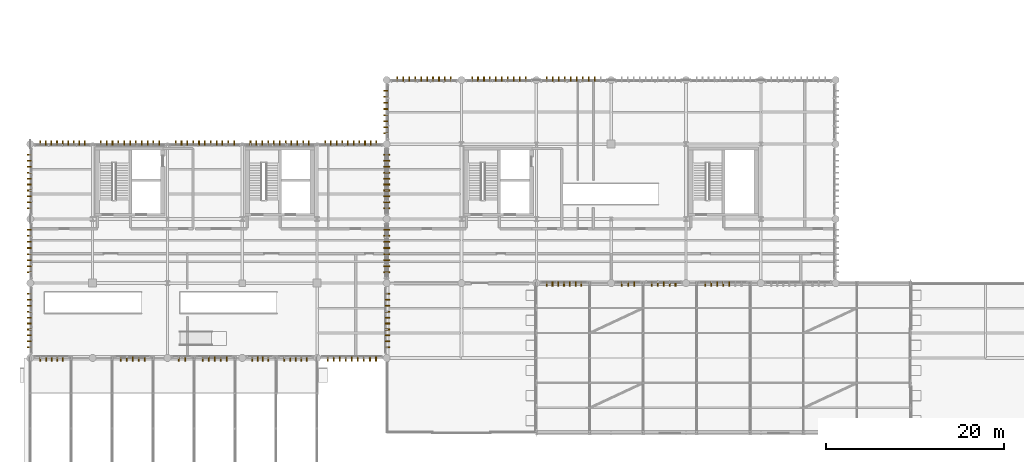
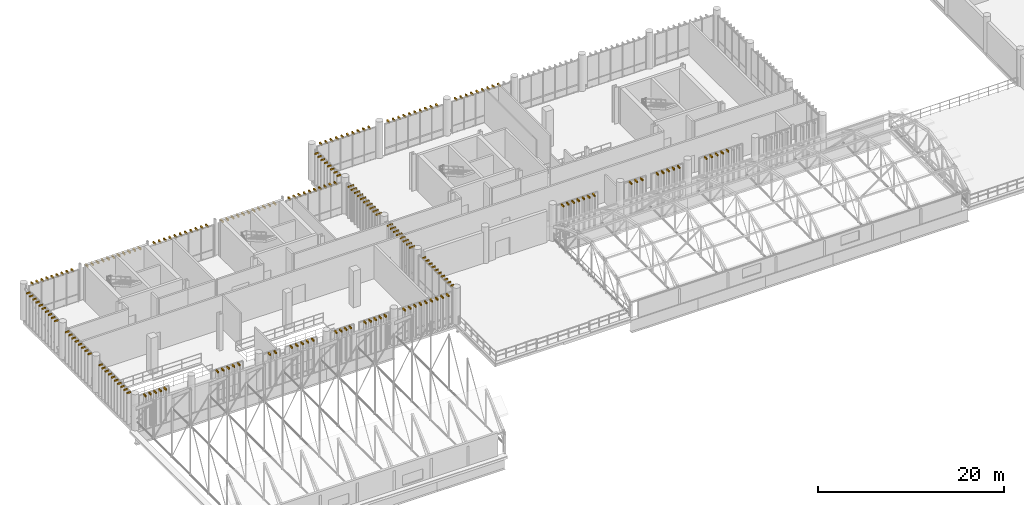
# One storey, part 107 of 109: 218 shading devices.
"""IFC4 building model written with IfcOpenShell, lengths in metres."""

from ifc_helpers import new_model, si_unit, direction, frame, origin_with_axes, origin_2d_with_axis, place, context, subcontext, project, spatial, rectangle, extrude, material, type_object, element, save


model = new_model("IFC4")

# Units and contexts
model_context = context("Model", 3, precision=1e-05, world=origin_with_axes(), true_north=direction((0.0, 1.0)))
body_context = subcontext(model_context, "Body", "Model", "MODEL_VIEW")
ifc_project = project(units=[si_unit("LENGTHUNIT", "METRE"), si_unit("AREAUNIT", "SQUARE_METRE"), si_unit("VOLUMEUNIT", "CUBIC_METRE"), si_unit("PLANEANGLEUNIT", "RADIAN"), si_unit("MASSUNIT", "GRAM", prefix="KILO"), si_unit("THERMODYNAMICTEMPERATUREUNIT", "KELVIN")], contexts=[model_context])

# Site, building, storey
site_placement = place(None, origin_with_axes())
site = spatial("IfcSite", under=ifc_project, at=site_placement, CompositionType="ELEMENT")
building_placement = place(site_placement, origin_with_axes())
building = spatial("IfcBuilding", under=site, at=building_placement, Name="Montbau Bow Law Courts", CompositionType="ELEMENT")
storey_placement = place(building_placement, frame((0.0, 0.0, 10.8), z_axis=(0.0, 0.0, 1.0), x_axis=(1.0, 0.0, 0.0)))
storey = spatial("IfcBuildingStorey", under=building, at=storey_placement, Name="L02", CompositionType="ELEMENT", Elevation=10.8)

# Shading devices
ifc_material_1 = material(Name="Freeze-Thaw Glazed Cream Ceramic Vertical Louvre", Category="masonry")
shading_device_type_1 = type_object("IfcShadingDeviceType", Name="SH-LVR-CRM", PredefinedType="USERDEFINED", material=ifc_material_1)
for number, where, z_axis, x_axis, name in (
    (1, (64.764, 38.89, 14.84), (0.0, 0.0, 1.0), (0.0, -1.0, 0.0), "LVR-L02-1417:shd_1417"),
    (2, (65.412, 38.89, 14.84), (0.0, 0.0, 1.0), (0.0, -1.0, 0.0), "LVR-L02-1418:shd_1418"),
    (3, (66.061, 38.89, 14.84), (0.0, 0.0, 1.0), (0.0, -1.0, 0.0), "LVR-L02-1419:shd_1419"),
    (4, (66.709, 38.89, 14.84), (0.0, 0.0, 1.0), (0.0, -1.0, 0.0), "LVR-L02-1420:shd_1420"),
    (5, (67.358, 38.89, 14.84), (0.0, 0.0, 1.0), (0.0, -1.0, 0.0), "LVR-L02-1421:shd_1421"),
    (6, (68.006, 38.89, 14.84), (0.0, 0.0, 1.0), (0.0, -1.0, 0.0), "LVR-L02-1422:shd_1422"),
    (7, (68.655, 38.89, 14.84), (0.0, 0.0, 1.0), (0.0, -1.0, 0.0), "LVR-L02-1423:shd_1423"),
    (8, (73.212, 38.89, 14.84), (0.0, 0.0, 1.0), (0.0, -1.0, 0.0), "LVR-L02-1424:shd_1424"),
    (9, (73.909, 38.89, 14.84), (0.0, 0.0, 1.0), (0.0, -1.0, 0.0), "LVR-L02-1425:shd_1425"),
    (10, (74.606, 38.89, 14.84), (0.0, 0.0, 1.0), (0.0, -1.0, 0.0), "LVR-L02-1426:shd_1426"),
    (11, (76.562, 38.89, 14.84), (0.0, 0.0, 1.0), (0.0, -1.0, 0.0), "LVR-L02-1427:shd_1427"),
    (12, (77.226, 38.89, 14.84), (0.0, 0.0, 1.0), (0.0, -1.0, 0.0), "LVR-L02-1428:shd_1428"),
    (13, (77.891, 38.89, 14.84), (0.0, 0.0, 1.0), (0.0, -1.0, 0.0), "LVR-L02-1429:shd_1429"),
    (14, (78.556, 38.89, 14.84), (0.0, 0.0, 1.0), (0.0, -1.0, 0.0), "LVR-L02-1430:shd_1430"),
    (15, (79.22, 38.89, 14.84), (0.0, 0.0, 1.0), (0.0, -1.0, 0.0), "LVR-L02-1431:shd_1431"),
    (16, (82.573, 38.89, 14.84), (0.0, 0.0, 1.0), (0.0, -1.0, 0.0), "LVR-L02-1432:shd_1432"),
    (17, (83.248, 38.89, 14.84), (0.0, 0.0, 1.0), (0.0, -1.0, 0.0), "LVR-L02-1433:shd_1433"),
    (18, (83.924, 38.89, 14.84), (0.0, 0.0, 1.0), (0.0, -1.0, 0.0), "LVR-L02-1434:shd_1434"),
    (19, (84.6, 38.89, 14.84), (0.0, 0.0, 1.0), (0.0, -1.0, 0.0), "LVR-L02-1435:shd_1435"),
    (20, (85.276, 38.89, 14.84), (0.0, 0.0, 1.0), (0.0, -1.0, 0.0), "LVR-L02-1436:shd_1436"),
    (21, (47.985, 61.91, 14.84), (0.0, 0.0, 1.0), (0.0, 1.0, 0.0), "LVR-L02-1447:shd_1447"),
    (22, (48.655, 61.91, 14.84), (0.0, 0.0, 1.0), (0.0, 1.0, 0.0), "LVR-L02-1448:shd_1448"),
    (23, (49.325, 61.91, 14.84), (0.0, 0.0, 1.0), (0.0, 1.0, 0.0), "LVR-L02-1449:shd_1449"),
    (24, (49.995, 61.91, 14.84), (0.0, 0.0, 1.0), (0.0, 1.0, 0.0), "LVR-L02-1450:shd_1450"),
    (25, (50.665, 61.91, 14.84), (0.0, 0.0, 1.0), (0.0, 1.0, 0.0), "LVR-L02-1451:shd_1451"),
    (26, (51.335, 61.91, 14.84), (0.0, 0.0, 1.0), (0.0, 1.0, 0.0), "LVR-L02-1452:shd_1452"),
    (27, (52.005, 61.91, 14.84), (0.0, 0.0, 1.0), (0.0, 1.0, 0.0), "LVR-L02-1453:shd_1453"),
    (28, (52.675, 61.91, 14.84), (0.0, 0.0, 1.0), (0.0, 1.0, 0.0), "LVR-L02-1454:shd_1454"),
    (29, (53.345, 61.91, 14.84), (0.0, 0.0, 1.0), (0.0, 1.0, 0.0), "LVR-L02-1455:shd_1455"),
    (30, (54.015, 61.91, 14.84), (0.0, 0.0, 1.0), (0.0, 1.0, 0.0), "LVR-L02-1456:shd_1456"),
    (31, (56.385, 61.91, 14.84), (0.0, 0.0, 1.0), (0.0, 1.0, 0.0), "LVR-L02-1457:shd_1457"),
    (32, (57.055, 61.91, 14.84), (0.0, 0.0, 1.0), (0.0, 1.0, 0.0), "LVR-L02-1458:shd_1458"),
    (33, (57.725, 61.91, 14.84), (0.0, 0.0, 1.0), (0.0, 1.0, 0.0), "LVR-L02-1459:shd_1459"),
    (34, (58.395, 61.91, 14.84), (0.0, 0.0, 1.0), (0.0, 1.0, 0.0), "LVR-L02-1460:shd_1460"),
    (35, (59.065, 61.91, 14.84), (0.0, 0.0, 1.0), (0.0, 1.0, 0.0), "LVR-L02-1461:shd_1461"),
    (36, (59.735, 61.91, 14.84), (0.0, 0.0, 1.0), (0.0, 1.0, 0.0), "LVR-L02-1462:shd_1462"),
    (37, (60.405, 61.91, 14.84), (0.0, 0.0, 1.0), (0.0, 1.0, 0.0), "LVR-L02-1463:shd_1463"),
    (38, (61.075, 61.91, 14.84), (0.0, 0.0, 1.0), (0.0, 1.0, 0.0), "LVR-L02-1464:shd_1464"),
    (39, (61.745, 61.91, 14.84), (0.0, 0.0, 1.0), (0.0, 1.0, 0.0), "LVR-L02-1465:shd_1465"),
    (40, (62.415, 61.91, 14.84), (0.0, 0.0, 1.0), (0.0, 1.0, 0.0), "LVR-L02-1466:shd_1466"),
    (41, (64.785, 61.91, 14.84), (0.0, 0.0, 1.0), (0.0, 1.0, 0.0), "LVR-L02-1467:shd_1467"),
    (42, (65.455, 61.91, 14.84), (0.0, 0.0, 1.0), (0.0, 1.0, 0.0), "LVR-L02-1468:shd_1468"),
    (43, (66.125, 61.91, 14.84), (0.0, 0.0, 1.0), (0.0, 1.0, 0.0), "LVR-L02-1469:shd_1469"),
    (44, (66.795, 61.91, 14.84), (0.0, 0.0, 1.0), (0.0, 1.0, 0.0), "LVR-L02-1470:shd_1470"),
    (45, (67.465, 61.91, 14.84), (0.0, 0.0, 1.0), (0.0, 1.0, 0.0), "LVR-L02-1471:shd_1471"),
    (46, (68.135, 61.91, 14.84), (0.0, 0.0, 1.0), (0.0, 1.0, 0.0), "LVR-L02-1472:shd_1472"),
    (47, (68.805, 61.91, 14.84), (0.0, 0.0, 1.0), (0.0, 1.0, 0.0), "LVR-L02-1473:shd_1473"),
    (48, (69.475, 61.91, 14.84), (0.0, 0.0, 1.0), (0.0, 1.0, 0.0), "LVR-L02-1474:shd_1474"),
    (49, (70.145, 61.91, 14.84), (0.0, 0.0, 1.0), (0.0, 1.0, 0.0), "LVR-L02-1475:shd_1475"),
    (50, (46.69, 40.201, 14.84), (0.0, 0.0, 1.0), (-1.0, 0.0, 0.0), "LVR-L02-1507:shd_1507"),
    (51, (46.69, 40.886, 14.84), (0.0, 0.0, 1.0), (-1.0, 0.0, 0.0), "LVR-L02-1508:shd_1508"),
    (52, (46.69, 41.572, 14.84), (0.0, 0.0, 1.0), (-1.0, 0.0, 0.0), "LVR-L02-1509:shd_1509"),
    (53, (46.69, 42.257, 14.84), (0.0, 0.0, 1.0), (-1.0, 0.0, 0.0), "LVR-L02-1510:shd_1510"),
    (54, (46.69, 42.943, 14.84), (0.0, 0.0, 1.0), (-1.0, 0.0, 0.0), "LVR-L02-1511:shd_1511"),
    (55, (46.69, 43.628, 14.84), (0.0, 0.0, 1.0), (-1.0, 0.0, 0.0), "LVR-L02-1512:shd_1512"),
    (56, (46.69, 44.314, 14.84), (0.0, 0.0, 1.0), (-1.0, 0.0, 0.0), "LVR-L02-1513:shd_1513"),
    (57, (46.69, 44.999, 14.84), (0.0, 0.0, 1.0), (-1.0, 0.0, 0.0), "LVR-L02-1514:shd_1514"),
    (58, (46.69, 47.385, 14.84), (0.0, 0.0, 1.0), (-1.0, 0.0, 0.0), "LVR-L02-1515:shd_1515"),
    (59, (46.69, 48.055, 14.84), (0.0, 0.0, 1.0), (-1.0, 0.0, 0.0), "LVR-L02-1516:shd_1516"),
    (60, (46.69, 48.725, 14.84), (0.0, 0.0, 1.0), (-1.0, 0.0, 0.0), "LVR-L02-1517:shd_1517"),
    (61, (46.69, 49.395, 14.84), (0.0, 0.0, 1.0), (-1.0, 0.0, 0.0), "LVR-L02-1518:shd_1518"),
    (62, (46.69, 50.065, 14.84), (0.0, 0.0, 1.0), (-1.0, 0.0, 0.0), "LVR-L02-1519:shd_1519"),
    (63, (46.69, 50.735, 14.84), (0.0, 0.0, 1.0), (-1.0, 0.0, 0.0), "LVR-L02-1520:shd_1520"),
    (64, (46.69, 51.405, 14.84), (0.0, 0.0, 1.0), (-1.0, 0.0, 0.0), "LVR-L02-1521:shd_1521"),
    (65, (46.69, 52.075, 14.84), (0.0, 0.0, 1.0), (-1.0, 0.0, 0.0), "LVR-L02-1522:shd_1522"),
    (66, (46.69, 52.745, 14.84), (0.0, 0.0, 1.0), (-1.0, 0.0, 0.0), "LVR-L02-1523:shd_1523"),
    (67, (46.69, 53.415, 14.84), (0.0, 0.0, 1.0), (-1.0, 0.0, 0.0), "LVR-L02-1524:shd_1524"),
    (68, (46.69, 55.801, 14.84), (0.0, 0.0, 1.0), (-1.0, 0.0, 0.0), "LVR-L02-1525:shd_1525"),
    (69, (46.69, 56.486, 14.84), (0.0, 0.0, 1.0), (-1.0, 0.0, 0.0), "LVR-L02-1526:shd_1526"),
    (70, (46.69, 57.172, 14.84), (0.0, 0.0, 1.0), (-1.0, 0.0, 0.0), "LVR-L02-1527:shd_1527"),
    (71, (46.69, 57.857, 14.84), (0.0, 0.0, 1.0), (-1.0, 0.0, 0.0), "LVR-L02-1528:shd_1528"),
    (72, (46.69, 58.543, 14.84), (0.0, 0.0, 1.0), (-1.0, 0.0, 0.0), "LVR-L02-1529:shd_1529"),
    (73, (46.69, 59.228, 14.84), (0.0, 0.0, 1.0), (-1.0, 0.0, 0.0), "LVR-L02-1530:shd_1530"),
    (74, (46.69, 59.914, 14.84), (0.0, 0.0, 1.0), (-1.0, 0.0, 0.0), "LVR-L02-1531:shd_1531"),
    (75, (46.69, 60.599, 14.84), (0.0, 0.0, 1.0), (-1.0, 0.0, 0.0), "LVR-L02-1532:shd_1532"),
):
    element("IfcShadingDevice", number, at=place(None, frame(where, z_axis=z_axis, x_axis=x_axis)), inside=storey, type_object=shading_device_type_1, Name=name, ObjectType="LOUVRE", PredefinedType="USERDEFINED", context=body_context, shape_type="SweptSolid", body=[
        extrude(rectangle(XDim=0.48, YDim=0.12, at=origin_2d_with_axis()), origin_with_axes(), (0.0, 0.0, 1.0), 0.18),
    ])
ifc_material_2 = material(Name="Freeze-Thaw Glazed Terracotta-Red Ceramic Vertical Louvre", Category="masonry")
shading_device_type_2 = type_object("IfcShadingDeviceType", Name="SH-LVR-RED", PredefinedType="USERDEFINED", material=ifc_material_2)
for number, where, z_axis, x_axis, name in (
    (76, (7.946, 30.49, 14.84), (0.0, 0.0, 1.0), (0.0, -1.0, 0.0), "LVR-L02-0310:shd_0310"),
    (77, (8.578, 30.49, 14.84), (0.0, 0.0, 1.0), (0.0, -1.0, 0.0), "LVR-L02-0311:shd_0311"),
    (78, (9.209, 30.49, 14.84), (0.0, 0.0, 1.0), (0.0, -1.0, 0.0), "LVR-L02-0312:shd_0312"),
    (79, (9.841, 30.49, 14.84), (0.0, 0.0, 1.0), (0.0, -1.0, 0.0), "LVR-L02-0313:shd_0313"),
    (80, (10.472, 30.49, 14.84), (0.0, 0.0, 1.0), (0.0, -1.0, 0.0), "LVR-L02-0314:shd_0314"),
    (81, (16.964, 30.49, 14.84), (0.0, 0.0, 1.0), (0.0, -1.0, 0.0), "LVR-L02-0315:shd_0315"),
    (82, (17.632, 30.49, 14.84), (0.0, 0.0, 1.0), (0.0, -1.0, 0.0), "LVR-L02-0316:shd_0316"),
    (83, (18.3, 30.49, 14.84), (0.0, 0.0, 1.0), (0.0, -1.0, 0.0), "LVR-L02-0317:shd_0317"),
    (84, (18.968, 30.49, 14.84), (0.0, 0.0, 1.0), (0.0, -1.0, 0.0), "LVR-L02-0318:shd_0318"),
    (85, (19.636, 30.49, 14.84), (0.0, 0.0, 1.0), (0.0, -1.0, 0.0), "LVR-L02-0319:shd_0319"),
    (86, (23.445, 30.49, 14.84), (0.0, 0.0, 1.0), (0.0, -1.0, 0.0), "LVR-L02-0320:shd_0320"),
    (87, (24.174, 30.49, 14.84), (0.0, 0.0, 1.0), (0.0, -1.0, 0.0), "LVR-L02-0321:shd_0321"),
    (88, (26.164, 30.49, 14.84), (0.0, 0.0, 1.0), (0.0, -1.0, 0.0), "LVR-L02-0322:shd_0322"),
    (89, (26.832, 30.49, 14.84), (0.0, 0.0, 1.0), (0.0, -1.0, 0.0), "LVR-L02-0323:shd_0323"),
    (90, (27.5, 30.49, 14.84), (0.0, 0.0, 1.0), (0.0, -1.0, 0.0), "LVR-L02-0324:shd_0324"),
    (91, (28.168, 30.49, 14.84), (0.0, 0.0, 1.0), (0.0, -1.0, 0.0), "LVR-L02-0325:shd_0325"),
    (92, (28.836, 30.49, 14.84), (0.0, 0.0, 1.0), (0.0, -1.0, 0.0), "LVR-L02-0326:shd_0326"),
    (93, (31.713, 30.49, 14.84), (0.0, 0.0, 1.0), (0.0, -1.0, 0.0), "LVR-L02-0327:shd_0327"),
    (94, (32.31, 30.49, 14.84), (0.0, 0.0, 1.0), (0.0, -1.0, 0.0), "LVR-L02-0328:shd_0328"),
    (95, (32.908, 30.49, 14.84), (0.0, 0.0, 1.0), (0.0, -1.0, 0.0), "LVR-L02-0329:shd_0329"),
    (96, (33.505, 30.49, 14.84), (0.0, 0.0, 1.0), (0.0, -1.0, 0.0), "LVR-L02-0330:shd_0330"),
    (97, (35.328, 30.49, 14.84), (0.0, 0.0, 1.0), (0.0, -1.0, 0.0), "LVR-L02-0331:shd_0331"),
    (98, (35.96, 30.49, 14.84), (0.0, 0.0, 1.0), (0.0, -1.0, 0.0), "LVR-L02-0332:shd_0332"),
    (99, (36.591, 30.49, 14.84), (0.0, 0.0, 1.0), (0.0, -1.0, 0.0), "LVR-L02-0333:shd_0333"),
    (100, (37.222, 30.49, 14.84), (0.0, 0.0, 1.0), (0.0, -1.0, 0.0), "LVR-L02-0334:shd_0334"),
    (101, (37.854, 30.49, 14.84), (0.0, 0.0, 1.0), (0.0, -1.0, 0.0), "LVR-L02-0335:shd_0335"),
    (102, (40.192, 30.49, 14.84), (0.0, 0.0, 1.0), (0.0, -1.0, 0.0), "LVR-L02-0336:shd_0336"),
    (103, (40.869, 30.49, 14.84), (0.0, 0.0, 1.0), (0.0, -1.0, 0.0), "LVR-L02-0337:shd_0337"),
    (104, (41.546, 30.49, 14.84), (0.0, 0.0, 1.0), (0.0, -1.0, 0.0), "LVR-L02-0338:shd_0338"),
    (105, (42.223, 30.49, 14.84), (0.0, 0.0, 1.0), (0.0, -1.0, 0.0), "LVR-L02-0339:shd_0339"),
    (106, (42.9, 30.49, 14.84), (0.0, 0.0, 1.0), (0.0, -1.0, 0.0), "LVR-L02-0340:shd_0340"),
    (107, (43.577, 30.49, 14.84), (0.0, 0.0, 1.0), (0.0, -1.0, 0.0), "LVR-L02-0341:shd_0341"),
    (108, (44.254, 30.49, 14.84), (0.0, 0.0, 1.0), (0.0, -1.0, 0.0), "LVR-L02-0342:shd_0342"),
    (109, (44.931, 30.49, 14.84), (0.0, 0.0, 1.0), (0.0, -1.0, 0.0), "LVR-L02-0343:shd_0343"),
    (110, (45.608, 30.49, 14.84), (0.0, 0.0, 1.0), (0.0, -1.0, 0.0), "LVR-L02-0344:shd_0344"),
    (111, (7.937, 54.71, 14.84), (0.0, 0.0, 1.0), (0.0, 1.0, 0.0), "LVR-L02-0345:shd_0345"),
    (112, (8.559, 54.71, 14.84), (0.0, 0.0, 1.0), (0.0, 1.0, 0.0), "LVR-L02-0346:shd_0346"),
    (113, (9.18, 54.71, 14.84), (0.0, 0.0, 1.0), (0.0, 1.0, 0.0), "LVR-L02-0347:shd_0347"),
    (114, (9.802, 54.71, 14.84), (0.0, 0.0, 1.0), (0.0, 1.0, 0.0), "LVR-L02-0348:shd_0348"),
    (115, (10.424, 54.71, 14.84), (0.0, 0.0, 1.0), (0.0, 1.0, 0.0), "LVR-L02-0349:shd_0349"),
    (116, (11.046, 54.71, 14.84), (0.0, 0.0, 1.0), (0.0, 1.0, 0.0), "LVR-L02-0350:shd_0350"),
    (117, (11.668, 54.71, 14.84), (0.0, 0.0, 1.0), (0.0, 1.0, 0.0), "LVR-L02-0351:shd_0351"),
    (118, (12.289, 54.71, 14.84), (0.0, 0.0, 1.0), (0.0, 1.0, 0.0), "LVR-L02-0352:shd_0352"),
    (119, (12.911, 54.71, 14.84), (0.0, 0.0, 1.0), (0.0, 1.0, 0.0), "LVR-L02-0353:shd_0353"),
    (120, (14.723, 54.71, 14.84), (0.0, 0.0, 1.0), (0.0, 1.0, 0.0), "LVR-L02-0354:shd_0354"),
    (121, (15.379, 54.71, 14.84), (0.0, 0.0, 1.0), (0.0, 1.0, 0.0), "LVR-L02-0355:shd_0355"),
    (122, (16.034, 54.71, 14.84), (0.0, 0.0, 1.0), (0.0, 1.0, 0.0), "LVR-L02-0356:shd_0356"),
    (123, (16.69, 54.71, 14.84), (0.0, 0.0, 1.0), (0.0, 1.0, 0.0), "LVR-L02-0357:shd_0357"),
    (124, (17.345, 54.71, 14.84), (0.0, 0.0, 1.0), (0.0, 1.0, 0.0), "LVR-L02-0358:shd_0358"),
    (125, (18.001, 54.71, 14.84), (0.0, 0.0, 1.0), (0.0, 1.0, 0.0), "LVR-L02-0359:shd_0359"),
    (126, (18.656, 54.71, 14.84), (0.0, 0.0, 1.0), (0.0, 1.0, 0.0), "LVR-L02-0360:shd_0360"),
    (127, (19.311, 54.71, 14.84), (0.0, 0.0, 1.0), (0.0, 1.0, 0.0), "LVR-L02-0361:shd_0361"),
    (128, (19.967, 54.71, 14.84), (0.0, 0.0, 1.0), (0.0, 1.0, 0.0), "LVR-L02-0362:shd_0362"),
    (129, (20.622, 54.71, 14.84), (0.0, 0.0, 1.0), (0.0, 1.0, 0.0), "LVR-L02-0363:shd_0363"),
    (130, (21.278, 54.71, 14.84), (0.0, 0.0, 1.0), (0.0, 1.0, 0.0), "LVR-L02-0364:shd_0364"),
    (131, (23.122, 54.71, 14.84), (0.0, 0.0, 1.0), (0.0, 1.0, 0.0), "LVR-L02-0365:shd_0365"),
    (132, (23.778, 54.71, 14.84), (0.0, 0.0, 1.0), (0.0, 1.0, 0.0), "LVR-L02-0366:shd_0366"),
    (133, (24.433, 54.71, 14.84), (0.0, 0.0, 1.0), (0.0, 1.0, 0.0), "LVR-L02-0367:shd_0367"),
    (134, (25.089, 54.71, 14.84), (0.0, 0.0, 1.0), (0.0, 1.0, 0.0), "LVR-L02-0368:shd_0368"),
    (135, (25.744, 54.71, 14.84), (0.0, 0.0, 1.0), (0.0, 1.0, 0.0), "LVR-L02-0369:shd_0369"),
    (136, (26.4, 54.71, 14.84), (0.0, 0.0, 1.0), (0.0, 1.0, 0.0), "LVR-L02-0370:shd_0370"),
    (137, (27.055, 54.71, 14.84), (0.0, 0.0, 1.0), (0.0, 1.0, 0.0), "LVR-L02-0371:shd_0371"),
    (138, (27.711, 54.71, 14.84), (0.0, 0.0, 1.0), (0.0, 1.0, 0.0), "LVR-L02-0372:shd_0372"),
    (139, (28.366, 54.71, 14.84), (0.0, 0.0, 1.0), (0.0, 1.0, 0.0), "LVR-L02-0373:shd_0373"),
    (140, (29.022, 54.71, 14.84), (0.0, 0.0, 1.0), (0.0, 1.0, 0.0), "LVR-L02-0374:shd_0374"),
    (141, (29.677, 54.71, 14.84), (0.0, 0.0, 1.0), (0.0, 1.0, 0.0), "LVR-L02-0375:shd_0375"),
    (142, (31.522, 54.71, 14.84), (0.0, 0.0, 1.0), (0.0, 1.0, 0.0), "LVR-L02-0376:shd_0376"),
    (143, (32.178, 54.71, 14.84), (0.0, 0.0, 1.0), (0.0, 1.0, 0.0), "LVR-L02-0377:shd_0377"),
    (144, (32.833, 54.71, 14.84), (0.0, 0.0, 1.0), (0.0, 1.0, 0.0), "LVR-L02-0378:shd_0378"),
    (145, (33.489, 54.71, 14.84), (0.0, 0.0, 1.0), (0.0, 1.0, 0.0), "LVR-L02-0379:shd_0379"),
    (146, (34.144, 54.71, 14.84), (0.0, 0.0, 1.0), (0.0, 1.0, 0.0), "LVR-L02-0380:shd_0380"),
    (147, (34.799, 54.71, 14.84), (0.0, 0.0, 1.0), (0.0, 1.0, 0.0), "LVR-L02-0381:shd_0381"),
    (148, (35.455, 54.71, 14.84), (0.0, 0.0, 1.0), (0.0, 1.0, 0.0), "LVR-L02-0382:shd_0382"),
    (149, (36.11, 54.71, 14.84), (0.0, 0.0, 1.0), (0.0, 1.0, 0.0), "LVR-L02-0383:shd_0383"),
    (150, (36.766, 54.71, 14.84), (0.0, 0.0, 1.0), (0.0, 1.0, 0.0), "LVR-L02-0384:shd_0384"),
    (151, (37.421, 54.71, 14.84), (0.0, 0.0, 1.0), (0.0, 1.0, 0.0), "LVR-L02-0385:shd_0385"),
    (152, (38.077, 54.71, 14.84), (0.0, 0.0, 1.0), (0.0, 1.0, 0.0), "LVR-L02-0386:shd_0386"),
    (153, (39.906, 54.71, 14.84), (0.0, 0.0, 1.0), (0.0, 1.0, 0.0), "LVR-L02-0387:shd_0387"),
    (154, (40.544, 54.71, 14.84), (0.0, 0.0, 1.0), (0.0, 1.0, 0.0), "LVR-L02-0388:shd_0388"),
    (155, (41.182, 54.71, 14.84), (0.0, 0.0, 1.0), (0.0, 1.0, 0.0), "LVR-L02-0389:shd_0389"),
    (156, (41.82, 54.71, 14.84), (0.0, 0.0, 1.0), (0.0, 1.0, 0.0), "LVR-L02-0390:shd_0390"),
    (157, (42.458, 54.71, 14.84), (0.0, 0.0, 1.0), (0.0, 1.0, 0.0), "LVR-L02-0391:shd_0391"),
    (158, (43.095, 54.71, 14.84), (0.0, 0.0, 1.0), (0.0, 1.0, 0.0), "LVR-L02-0392:shd_0392"),
    (159, (43.733, 54.71, 14.84), (0.0, 0.0, 1.0), (0.0, 1.0, 0.0), "LVR-L02-0393:shd_0393"),
    (160, (44.371, 54.71, 14.84), (0.0, 0.0, 1.0), (0.0, 1.0, 0.0), "LVR-L02-0394:shd_0394"),
    (161, (45.009, 54.71, 14.84), (0.0, 0.0, 1.0), (0.0, 1.0, 0.0), "LVR-L02-0395:shd_0395"),
    (162, (45.647, 54.71, 14.84), (0.0, 0.0, 1.0), (0.0, 1.0, 0.0), "LVR-L02-0396:shd_0396"),
    (163, (6.69, 31.785, 14.84), (0.0, 0.0, 1.0), (-1.0, 0.0, 0.0), "LVR-L02-0397:shd_0397"),
    (164, (6.69, 32.455, 14.84), (0.0, 0.0, 1.0), (-1.0, 0.0, 0.0), "LVR-L02-0398:shd_0398"),
    (165, (6.69, 33.125, 14.84), (0.0, 0.0, 1.0), (-1.0, 0.0, 0.0), "LVR-L02-0399:shd_0399"),
    (166, (6.69, 33.795, 14.84), (0.0, 0.0, 1.0), (-1.0, 0.0, 0.0), "LVR-L02-0400:shd_0400"),
    (167, (6.69, 34.465, 14.84), (0.0, 0.0, 1.0), (-1.0, 0.0, 0.0), "LVR-L02-0401:shd_0401"),
    (168, (6.69, 35.135, 14.84), (0.0, 0.0, 1.0), (-1.0, 0.0, 0.0), "LVR-L02-0402:shd_0402"),
    (169, (6.69, 35.805, 14.84), (0.0, 0.0, 1.0), (-1.0, 0.0, 0.0), "LVR-L02-0403:shd_0403"),
    (170, (6.69, 36.475, 14.84), (0.0, 0.0, 1.0), (-1.0, 0.0, 0.0), "LVR-L02-0404:shd_0404"),
    (171, (6.69, 37.145, 14.84), (0.0, 0.0, 1.0), (-1.0, 0.0, 0.0), "LVR-L02-0405:shd_0405"),
    (172, (6.69, 37.815, 14.84), (0.0, 0.0, 1.0), (-1.0, 0.0, 0.0), "LVR-L02-0406:shd_0406"),
    (173, (6.69, 40.201, 14.84), (0.0, 0.0, 1.0), (-1.0, 0.0, 0.0), "LVR-L02-0407:shd_0407"),
    (174, (6.69, 40.886, 14.84), (0.0, 0.0, 1.0), (-1.0, 0.0, 0.0), "LVR-L02-0408:shd_0408"),
    (175, (6.69, 41.572, 14.84), (0.0, 0.0, 1.0), (-1.0, 0.0, 0.0), "LVR-L02-0409:shd_0409"),
    (176, (6.69, 42.257, 14.84), (0.0, 0.0, 1.0), (-1.0, 0.0, 0.0), "LVR-L02-0410:shd_0410"),
    (177, (6.69, 42.943, 14.84), (0.0, 0.0, 1.0), (-1.0, 0.0, 0.0), "LVR-L02-0411:shd_0411"),
    (178, (6.69, 43.628, 14.84), (0.0, 0.0, 1.0), (-1.0, 0.0, 0.0), "LVR-L02-0412:shd_0412"),
    (179, (6.69, 44.314, 14.84), (0.0, 0.0, 1.0), (-1.0, 0.0, 0.0), "LVR-L02-0413:shd_0413"),
    (180, (6.69, 44.999, 14.84), (0.0, 0.0, 1.0), (-1.0, 0.0, 0.0), "LVR-L02-0414:shd_0414"),
    (181, (6.69, 47.385, 14.84), (0.0, 0.0, 1.0), (-1.0, 0.0, 0.0), "LVR-L02-0415:shd_0415"),
    (182, (6.69, 48.055, 14.84), (0.0, 0.0, 1.0), (-1.0, 0.0, 0.0), "LVR-L02-0416:shd_0416"),
    (183, (6.69, 48.725, 14.84), (0.0, 0.0, 1.0), (-1.0, 0.0, 0.0), "LVR-L02-0417:shd_0417"),
    (184, (6.69, 49.395, 14.84), (0.0, 0.0, 1.0), (-1.0, 0.0, 0.0), "LVR-L02-0418:shd_0418"),
    (185, (6.69, 50.065, 14.84), (0.0, 0.0, 1.0), (-1.0, 0.0, 0.0), "LVR-L02-0419:shd_0419"),
    (186, (6.69, 50.735, 14.84), (0.0, 0.0, 1.0), (-1.0, 0.0, 0.0), "LVR-L02-0420:shd_0420"),
    (187, (6.69, 51.405, 14.84), (0.0, 0.0, 1.0), (-1.0, 0.0, 0.0), "LVR-L02-0421:shd_0421"),
    (188, (6.69, 52.075, 14.84), (0.0, 0.0, 1.0), (-1.0, 0.0, 0.0), "LVR-L02-0422:shd_0422"),
    (189, (6.69, 52.745, 14.84), (0.0, 0.0, 1.0), (-1.0, 0.0, 0.0), "LVR-L02-0423:shd_0423"),
    (190, (6.69, 53.415, 14.84), (0.0, 0.0, 1.0), (-1.0, 0.0, 0.0), "LVR-L02-0424:shd_0424"),
    (191, (46.91, 31.785, 14.84), (0.0, 0.0, 1.0), (1.0, 0.0, 0.0), "LVR-L02-0425:shd_0425"),
    (192, (46.91, 32.455, 14.84), (0.0, 0.0, 1.0), (1.0, 0.0, 0.0), "LVR-L02-0426:shd_0426"),
    (193, (46.91, 33.125, 14.84), (0.0, 0.0, 1.0), (1.0, 0.0, 0.0), "LVR-L02-0427:shd_0427"),
    (194, (46.91, 33.795, 14.84), (0.0, 0.0, 1.0), (1.0, 0.0, 0.0), "LVR-L02-0428:shd_0428"),
    (195, (46.91, 34.465, 14.84), (0.0, 0.0, 1.0), (1.0, 0.0, 0.0), "LVR-L02-0429:shd_0429"),
    (196, (46.91, 35.135, 14.84), (0.0, 0.0, 1.0), (1.0, 0.0, 0.0), "LVR-L02-0430:shd_0430"),
    (197, (46.91, 35.805, 14.84), (0.0, 0.0, 1.0), (1.0, 0.0, 0.0), "LVR-L02-0431:shd_0431"),
    (198, (46.91, 36.475, 14.84), (0.0, 0.0, 1.0), (1.0, 0.0, 0.0), "LVR-L02-0432:shd_0432"),
    (199, (46.91, 37.145, 14.84), (0.0, 0.0, 1.0), (1.0, 0.0, 0.0), "LVR-L02-0433:shd_0433"),
    (200, (46.91, 37.815, 14.84), (0.0, 0.0, 1.0), (1.0, 0.0, 0.0), "LVR-L02-0434:shd_0434"),
    (201, (46.91, 40.201, 14.84), (0.0, 0.0, 1.0), (1.0, 0.0, 0.0), "LVR-L02-0435:shd_0435"),
    (202, (46.91, 40.886, 14.84), (0.0, 0.0, 1.0), (1.0, 0.0, 0.0), "LVR-L02-0436:shd_0436"),
    (203, (46.91, 41.572, 14.84), (0.0, 0.0, 1.0), (1.0, 0.0, 0.0), "LVR-L02-0437:shd_0437"),
    (204, (46.91, 42.257, 14.84), (0.0, 0.0, 1.0), (1.0, 0.0, 0.0), "LVR-L02-0438:shd_0438"),
    (205, (46.91, 42.943, 14.84), (0.0, 0.0, 1.0), (1.0, 0.0, 0.0), "LVR-L02-0439:shd_0439"),
    (206, (46.91, 43.628, 14.84), (0.0, 0.0, 1.0), (1.0, 0.0, 0.0), "LVR-L02-0440:shd_0440"),
    (207, (46.91, 44.314, 14.84), (0.0, 0.0, 1.0), (1.0, 0.0, 0.0), "LVR-L02-0441:shd_0441"),
    (208, (46.91, 44.999, 14.84), (0.0, 0.0, 1.0), (1.0, 0.0, 0.0), "LVR-L02-0442:shd_0442"),
    (209, (46.91, 47.385, 14.84), (0.0, 0.0, 1.0), (1.0, 0.0, 0.0), "LVR-L02-0443:shd_0443"),
    (210, (46.91, 48.055, 14.84), (0.0, 0.0, 1.0), (1.0, 0.0, 0.0), "LVR-L02-0444:shd_0444"),
    (211, (46.91, 48.725, 14.84), (0.0, 0.0, 1.0), (1.0, 0.0, 0.0), "LVR-L02-0445:shd_0445"),
    (212, (46.91, 49.395, 14.84), (0.0, 0.0, 1.0), (1.0, 0.0, 0.0), "LVR-L02-0446:shd_0446"),
    (213, (46.91, 50.065, 14.84), (0.0, 0.0, 1.0), (1.0, 0.0, 0.0), "LVR-L02-0447:shd_0447"),
    (214, (46.91, 50.735, 14.84), (0.0, 0.0, 1.0), (1.0, 0.0, 0.0), "LVR-L02-0448:shd_0448"),
    (215, (46.91, 51.405, 14.84), (0.0, 0.0, 1.0), (1.0, 0.0, 0.0), "LVR-L02-0449:shd_0449"),
    (216, (46.91, 52.075, 14.84), (0.0, 0.0, 1.0), (1.0, 0.0, 0.0), "LVR-L02-0450:shd_0450"),
    (217, (46.91, 52.745, 14.84), (0.0, 0.0, 1.0), (1.0, 0.0, 0.0), "LVR-L02-0451:shd_0451"),
    (218, (46.91, 53.415, 14.84), (0.0, 0.0, 1.0), (1.0, 0.0, 0.0), "LVR-L02-0452:shd_0452"),
):
    element("IfcShadingDevice", number, at=place(None, frame(where, z_axis=z_axis, x_axis=x_axis)), inside=storey, type_object=shading_device_type_2, Name=name, ObjectType="LOUVRE", PredefinedType="USERDEFINED", context=body_context, shape_type="SweptSolid", body=[
        extrude(rectangle(XDim=0.48, YDim=0.12, at=origin_2d_with_axis()), origin_with_axes(), (0.0, 0.0, 1.0), 0.18),
    ])

save(model, "model.ifc")
